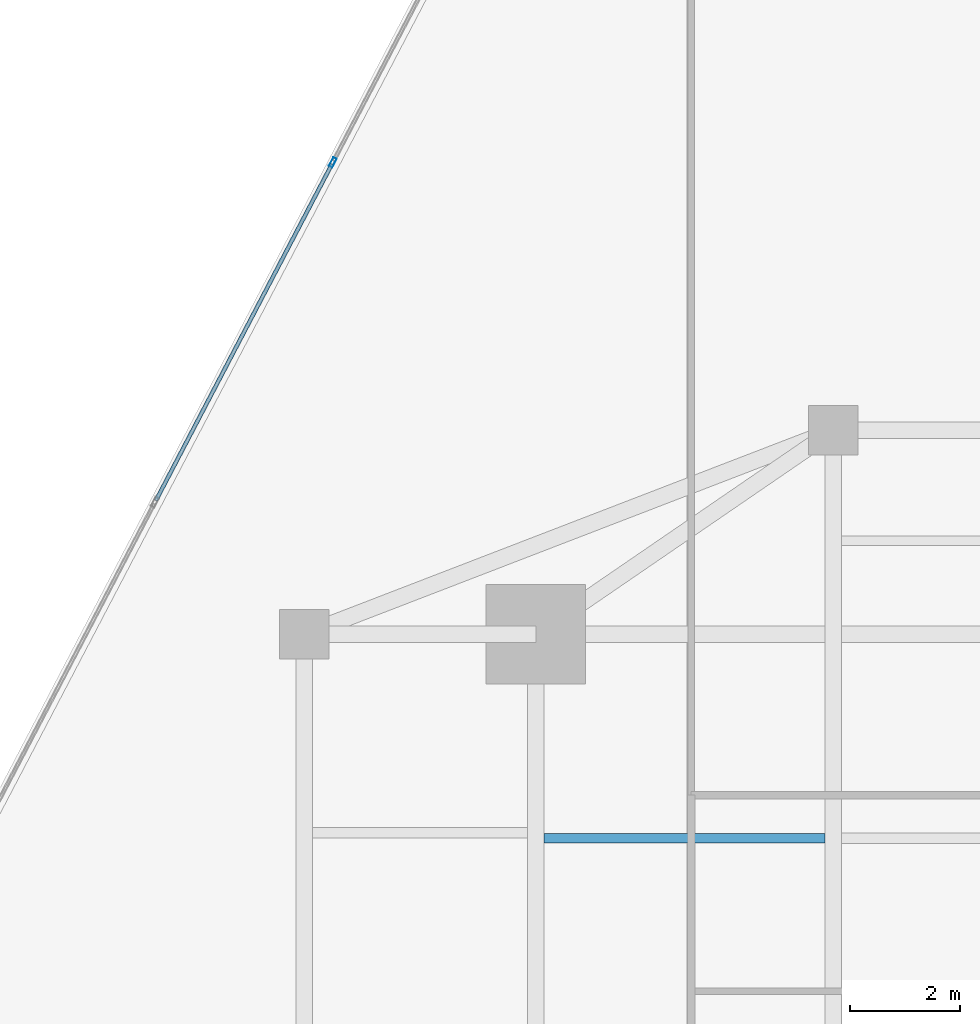
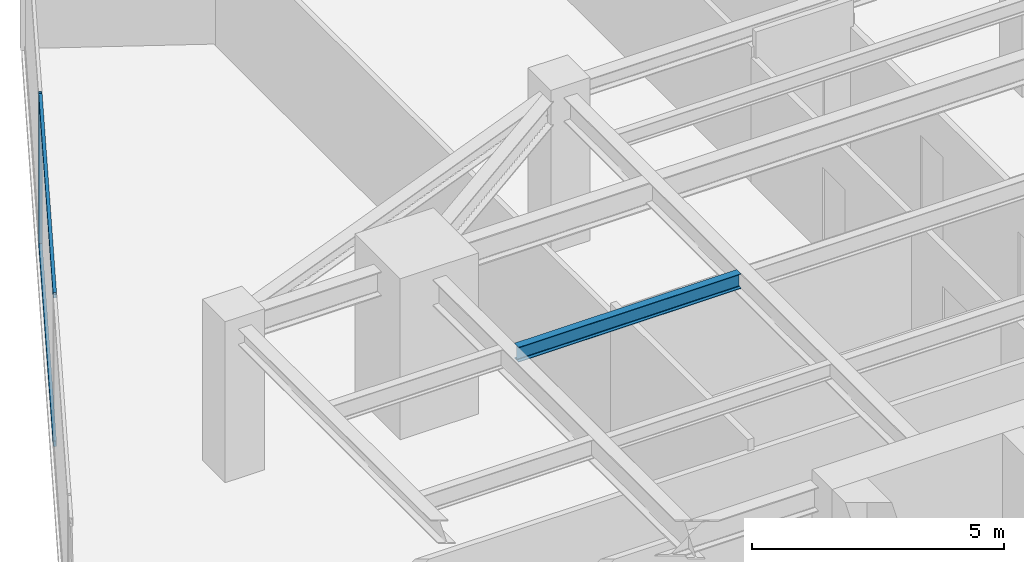
# One storey, part 14 of 27: 3 members, 1 beam, 1 element without a shape of its own.
"""IFC4 building model written with IfcOpenShell, lengths in metres."""

from ifc_helpers import new_model, si_unit, direction, frame, origin, origin_2d, place, context, subcontext, project, spatial, hollow_rectangle, i_section, extrude, source, transform, mapped, material, material_profile, profile_set, type_object, type_shapes, element, aggregate, save


model = new_model("IFC4")

# Units and contexts
model_context = context("Model", 3, precision=1e-05, world=origin(), true_north=direction((0.0, 1.0)))
body_context = subcontext(model_context, "Body", "Model", "MODEL_VIEW")
ifc_project = project(units=[si_unit("LENGTHUNIT", "METRE"), si_unit("AREAUNIT", "SQUARE_METRE"), si_unit("VOLUMEUNIT", "CUBIC_METRE"), si_unit("PLANEANGLEUNIT", "RADIAN"), si_unit("MASSUNIT", "GRAM", prefix="KILO")], contexts=[model_context])

# Site, building, storey
site_placement = place(None, origin())
site = spatial("IfcSite", under=ifc_project, at=site_placement, CompositionType="ELEMENT")
building_placement = place(site_placement, origin())
building = spatial("IfcBuilding", under=site, at=building_placement, Name="Krantzveldt Concourse Tower", CompositionType="ELEMENT")
storey_placement = place(building_placement, frame((0.0, 0.0, 150.14990234375)))
storey = spatial("IfcBuildingStorey", under=building, at=storey_placement, Name="L36", CompositionType="ELEMENT", Elevation=150.14990234375)

# Beam
ifc_material_1 = material(Name="Steel S355JR", Category="steel")
ifc_material_profile_1 = material_profile(ifc_material_1, i_section(OverallWidth=0.169921875, OverallDepth=0.360107421875, WebThickness=0.008056640625, FlangeThickness=0.0126953125, FilletRadius=0.01806640625, at=origin_2d()), Name="Steel S355JR", Category="steel")
ifc_profile_set_1 = profile_set([ifc_material_profile_1], Name="Steel S355JR - IPE 360")
beam_type = type_object("IfcBeamType", Name="BM-J-IPE360", PredefinedType="JOIST", material=ifc_profile_set_1)
shared_shape_1 = source(origin(), body_context, "Body", "SweptSolid", [
    extrude(i_section(OverallWidth=0.169921875, OverallDepth=0.360107421875, WebThickness=0.008056640625, FlangeThickness=0.0126953125, FilletRadius=0.01806640625, at=origin_2d()), origin(), (0.0, 0.0, 1.0), 5.099853515625),
])
type_shapes(beam_type, [shared_shape_1])
beam_placement = place(storey_placement, frame((25.35009765625, 33.800048828125, 3.489990234375), z_axis=(1.0, 0.0, 0.0), x_axis=(0.0, 1.0, 0.0)))
element("IfcBeam", 1, at=beam_placement, inside=storey, type_object=beam_type, Name="L36 Secondary Floor Joist JN-W2", PredefinedType="JOIST", context=body_context, shape_type="MappedRepresentation", body=[
    mapped(shared_shape_1, transform((0.0, 0.0, 0.0), x_axis=(1.0, 0.0, 0.0), y_axis=(0.0, 1.0, 0.0), z_axis=(0.0, 0.0, 1.0), scale=1.0)),
])

# Curtain wall, members
ifc_material_2 = material(Name="Anodised aluminium 6063-T6", Category="aluminium")
curtain_wall_type = type_object("IfcCurtainWallType", Name="CW3", PredefinedType="USERDEFINED", material=ifc_material_2)
curtain_wall_placement = place(storey_placement, origin())
curtain_wall = element("IfcCurtainWall", 2, at=curtain_wall_placement, inside=storey, type_object=curtain_wall_type, Name="CW-L36-F01", ObjectType="UNITISED CURTAIN WALL", PredefinedType="USERDEFINED")
ifc_material_profile_2 = material_profile(ifc_material_2, hollow_rectangle(XDim=0.070068359375, YDim=0.179931640625, WallThickness=0.0048828125, at=origin_2d()), Name="Anodised aluminium 6063-T6", Category="aluminium")
ifc_profile_set_2 = profile_set([ifc_material_profile_2], Name="Anodised aluminium 6063-T6 - ALU-MULL 180x70x5")
member_type_1 = type_object("IfcMemberType", Name="CW-MUL-180", PredefinedType="MULLION", material=ifc_profile_set_2)
shared_shape_2 = source(origin(), body_context, "Body", "SweptSolid", [
    extrude(hollow_rectangle(XDim=0.070068359375, YDim=0.179931640625, WallThickness=0.0048828125, at=origin_2d()), origin(), (0.0, 0.0, 1.0), 3.670166015625),
])
type_shapes(member_type_1, [shared_shape_2])
member_1_placement = place(storey_placement, frame((21.51708984375, 46.062744140625, 0.0), z_axis=(0.0, 0.0, 1.0), x_axis=(0.886001265743, -0.463682819502, 0.0)))
member_1 = element("IfcMember", 3, at=member_1_placement, type_object=member_type_1, Name="CW-Z34 mullion 2", PredefinedType="MULLION", context=body_context, shape_type="MappedRepresentation", body=[
    mapped(shared_shape_2, transform((0.0, 0.0, 0.0), x_axis=(1.0, 0.0, 0.0), y_axis=(0.0, 1.0, 0.0), z_axis=(0.0, 0.0, 1.0), scale=1.0)),
])
ifc_material_profile_3 = material_profile(ifc_material_2, hollow_rectangle(XDim=0.070068359375, YDim=0.139892578125, WallThickness=0.0048828125, at=origin_2d()), Name="Anodised aluminium 6063-T6", Category="aluminium")
ifc_profile_set_3 = profile_set([ifc_material_profile_3], Name="Anodised aluminium 6063-T6 - ALU-TRAN 140x70x5")
member_type_2 = type_object("IfcMemberType", Name="CW-TRN-150", PredefinedType="USERDEFINED", material=ifc_profile_set_3)
shared_shape_3 = source(origin(), body_context, "Body", "SweptSolid", [
    extrude(hollow_rectangle(XDim=0.070068359375, YDim=0.139892578125, WallThickness=0.0048828125, at=origin_2d()), origin(), (0.0, 0.0, 1.0), 6.889892578125),
])
type_shapes(member_type_2, [shared_shape_3])
member_2_placement = place(storey_placement, frame((21.5009765625, 46.03173828125, 0.03515625), z_axis=(-0.46369184059, -0.885996544559, 0.0), x_axis=(0.885996544559, -0.46369184059, 0.0)))
member_2 = element("IfcMember", 4, at=member_2_placement, type_object=member_type_2, Name="CW-Z34 transom 2.1", ObjectType="TRANSOM", PredefinedType="USERDEFINED", context=body_context, shape_type="MappedRepresentation", body=[
    mapped(shared_shape_3, transform((0.0, 0.0, 0.0), x_axis=(1.0, 0.0, 0.0), y_axis=(0.0, 1.0, 0.0), z_axis=(0.0, 0.0, 1.0), scale=1.0)),
])
member_3_placement = place(storey_placement, frame((21.5009765625, 46.03173828125, 3.635009765625), z_axis=(-0.46369184059, -0.885996544559, 0.0), x_axis=(0.885996544559, -0.46369184059, 0.0)))
member_3 = element("IfcMember", 5, at=member_3_placement, type_object=member_type_2, Name="CW-Z34 transom 2.2", ObjectType="TRANSOM", PredefinedType="USERDEFINED", context=body_context, shape_type="MappedRepresentation", body=[
    mapped(shared_shape_3, transform((0.0, 0.0, 0.0), x_axis=(1.0, 0.0, 0.0), y_axis=(0.0, 1.0, 0.0), z_axis=(0.0, 0.0, 1.0), scale=1.0)),
])
aggregate(curtain_wall, [member_1, member_2, member_3])

save(model, "model.ifc")
